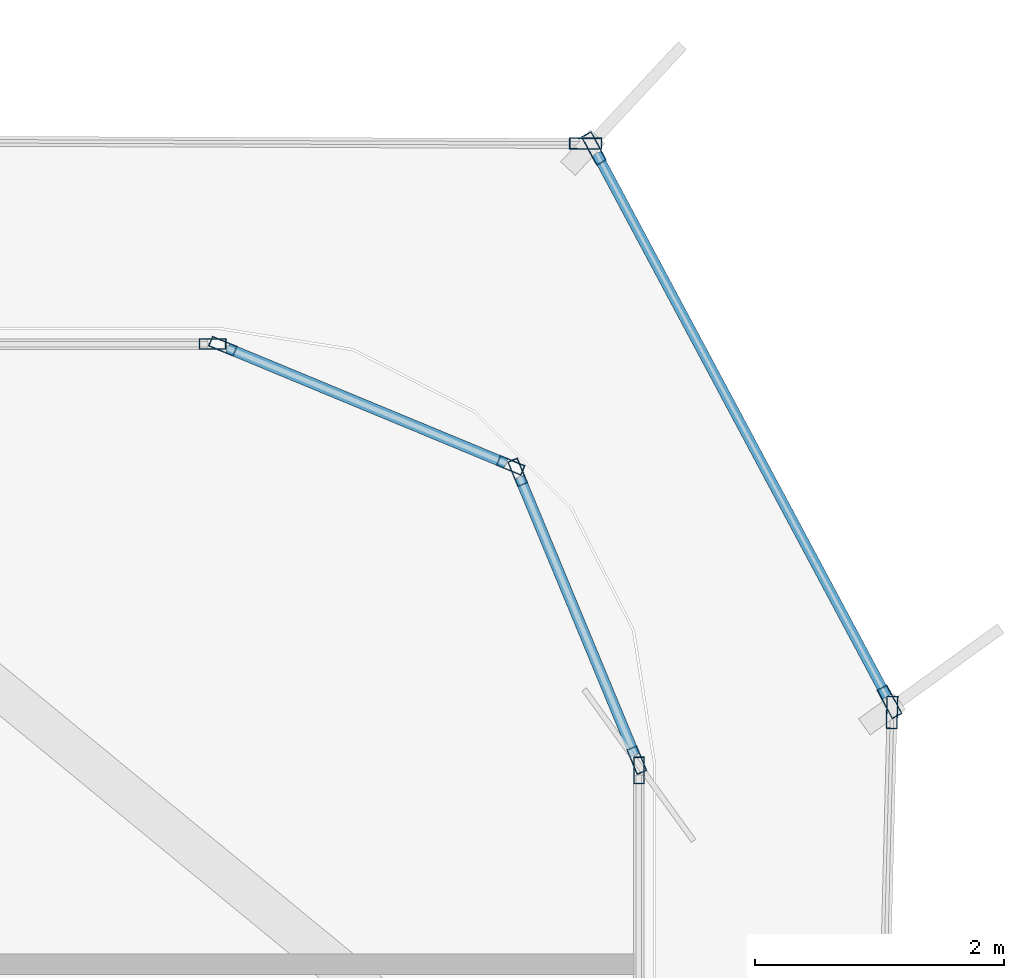
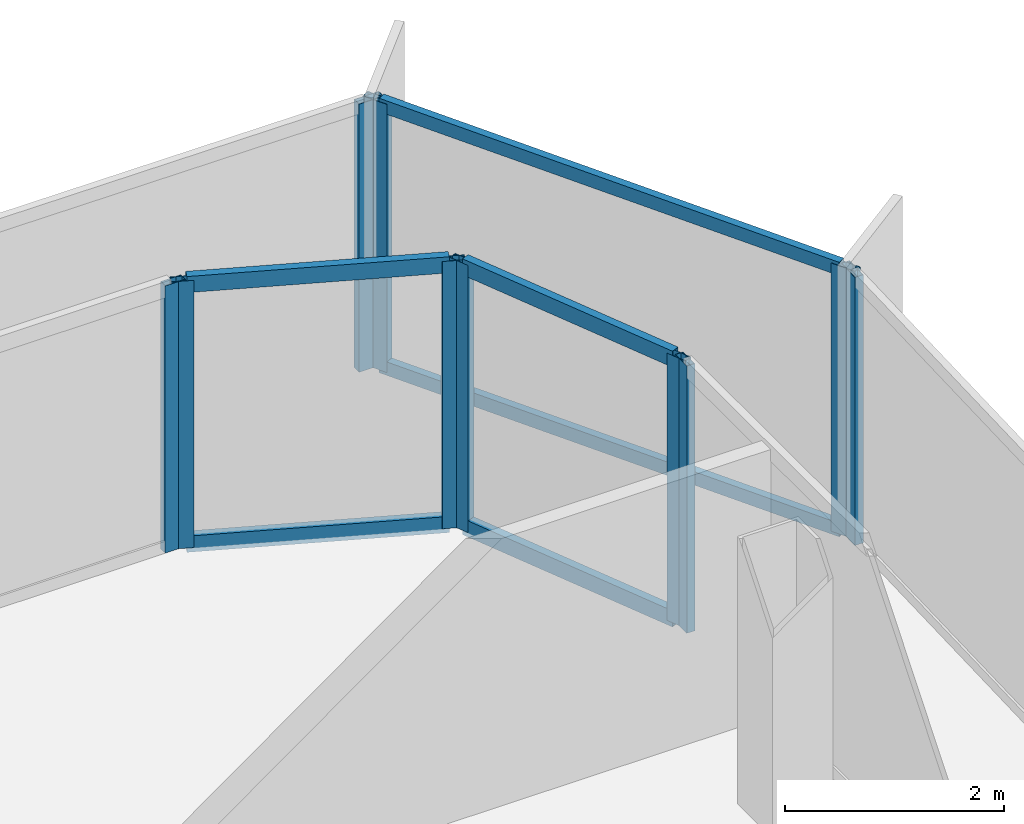
# One storey, part 8 of 15: 16 members, 7 elements without a shape of their own.
"""IFC4 building model written with IfcOpenShell, lengths in metres."""

from ifc_helpers import new_model, si_unit, direction, frame, origin, origin_2d, place, context, subcontext, project, spatial, hollow_rectangle, extrude, source, transform, mapped, material, layer, layer_set, material_profile, profile_set, type_object, element, aggregate, save


model = new_model("IFC4")

# Units and contexts
model_context = context("Model", 3, precision=1e-05, world=origin(), true_north=direction((0.0, 1.0)))
body_context = subcontext(model_context, "Body", "Model", "MODEL_VIEW")
ifc_project = project(units=[si_unit("LENGTHUNIT", "METRE"), si_unit("AREAUNIT", "SQUARE_METRE"), si_unit("VOLUMEUNIT", "CUBIC_METRE"), si_unit("PLANEANGLEUNIT", "RADIAN"), si_unit("MASSUNIT", "GRAM", prefix="KILO")], contexts=[model_context])

# Site, building, storey
site_placement = place(None, origin())
site = spatial("IfcSite", under=ifc_project, at=site_placement, CompositionType="ELEMENT")
building_placement = place(site_placement, origin())
building = spatial("IfcBuilding", under=site, at=building_placement, Name="Kolveth Station Tower", CompositionType="ELEMENT")
storey_placement = place(building_placement, frame((0.0, 0.0, 220.10009765625)))
storey = spatial("IfcBuildingStorey", under=building, at=storey_placement, Name="L62", CompositionType="ELEMENT", Elevation=220.10009765625)

# Curtain wall, member
ifc_material_1 = material(Name="Black anodized aluminium 6063-T6 and dark solar glass", Category="aluminium")
ifc_layer_1 = layer(ifc_material_1, 0.159912109375)
ifc_layer_set_1 = layer_set([ifc_layer_1], Name="Black anodized aluminium 6063-T6 and dark solar glass")
curtain_wall_type_1 = type_object("IfcCurtainWallType", Name="OUTER SKIN CW-OS", PredefinedType="NOTDEFINED", material=ifc_layer_set_1)
curtain_wall_1_placement = place(storey_placement, origin())
curtain_wall_1 = element("IfcCurtainWall", 1, at=curtain_wall_1_placement, inside=storey, type_object=curtain_wall_type_1, Name="L62 Outer Ventilated Skin Curtain Wall 2", PredefinedType="NOTDEFINED")
ifc_material_2 = material(Name="Black anodized aluminium 6063-T6", Category="aluminium")
ifc_material_profile_1 = material_profile(ifc_material_2, hollow_rectangle(XDim=0.090087890625, YDim=0.260009765625, WallThickness=0.0048828125, at=origin_2d()), Name="ALU-90x260x5")
ifc_profile_set_1 = profile_set([ifc_material_profile_1], Name="Black anodized aluminium 6063-T6")
member_type_1 = type_object("IfcMemberType", Name="FIN MULLION ML-OS", PredefinedType="MULLION", material=ifc_profile_set_1)
shared_shape_1 = source(origin(), body_context, "Body", "SweptSolid", [
    extrude(hollow_rectangle(XDim=0.090087890625, YDim=0.260009765625, WallThickness=0.0048828125, at=origin_2d()), origin(), (0.0, 0.0, 1.0), 2.989990234375),
])
member_1_placement = place(storey_placement, frame((43.712890625, 32.22265625, 0.0), z_axis=(0.0, 0.0, 1.0), x_axis=(-0.999687283982, 0.025006684012, 0.0)))
member_1 = element("IfcMember", 2, at=member_1_placement, type_object=member_type_1, Name="CW-OS mullion 2", PredefinedType="MULLION", context=body_context, shape_type="MappedRepresentation", body=[
    mapped(shared_shape_1, transform((0.0, 0.0, 0.0), x_axis=(1.0, 0.0, 0.0), y_axis=(0.0, 1.0, 0.0), z_axis=(0.0, 0.0, 1.0), scale=1.0)),
])
aggregate(curtain_wall_1, [member_1])

# Curtain wall, members
curtain_wall_2_placement = place(storey_placement, origin())
curtain_wall_2 = element("IfcCurtainWall", 3, at=curtain_wall_2_placement, inside=storey, type_object=curtain_wall_type_1, Name="L62 Outer Ventilated Skin Curtain Wall 3", PredefinedType="NOTDEFINED")
member_2_placement = place(storey_placement, frame((43.69287109375, 32.307373046875, 0.0), z_axis=(0.0, 0.0, 1.0), x_axis=(-0.882018589328, -0.471214609365, 0.0)))
member_2 = element("IfcMember", 4, at=member_2_placement, type_object=member_type_1, Name="CW-OS mullion 1", PredefinedType="MULLION", context=body_context, shape_type="MappedRepresentation", body=[
    mapped(shared_shape_1, transform((0.0, 0.0, 0.0), x_axis=(1.0, 0.0, 0.0), y_axis=(0.0, 1.0, 0.0), z_axis=(0.0, 0.0, 1.0), scale=1.0)),
])
member_3_placement = place(storey_placement, frame((41.31884765625, 36.751220703125, 0.0), z_axis=(0.0, 0.0, 1.0), x_axis=(-0.882018589328, -0.471214609365, 0.0)))
member_3 = element("IfcMember", 5, at=member_3_placement, type_object=member_type_1, Name="CW-OS mullion 2", PredefinedType="MULLION", context=body_context, shape_type="MappedRepresentation", body=[
    mapped(shared_shape_1, transform((0.0, 0.0, 0.0), x_axis=(1.0, 0.0, 0.0), y_axis=(0.0, 1.0, 0.0), z_axis=(0.0, 0.0, 1.0), scale=1.0)),
])

# Curtain wall, member
curtain_wall_3_placement = place(storey_placement, origin())
curtain_wall_3 = element("IfcCurtainWall", 6, at=curtain_wall_3_placement, inside=storey, type_object=curtain_wall_type_1, Name="L62 Outer Ventilated Skin Curtain Wall 4", PredefinedType="NOTDEFINED")
member_4_placement = place(storey_placement, frame((41.252685546875, 36.791015625, 0.0), z_axis=(0.0, 0.0, 1.0), x_axis=(-0.003664930135, -0.999993284121, 0.0)))
member_4 = element("IfcMember", 7, at=member_4_placement, type_object=member_type_1, Name="CW-OS mullion 1", PredefinedType="MULLION", context=body_context, shape_type="MappedRepresentation", body=[
    mapped(shared_shape_1, transform((0.0, 0.0, 0.0), x_axis=(1.0, 0.0, 0.0), y_axis=(0.0, 1.0, 0.0), z_axis=(0.0, 0.0, 1.0), scale=1.0)),
])
aggregate(curtain_wall_3, [member_4])

ifc_material_3 = material(Name="Aluminium 6063-T6 and triple low-E dark glass", Category="aluminium")
ifc_layer_2 = layer(ifc_material_3, 0.199951171875)
ifc_layer_set_2 = layer_set([ifc_layer_2], Name="Aluminium 6063-T6 and triple low-E dark glass")
curtain_wall_type_2 = type_object("IfcCurtainWallType", Name="CurtainWall_CW-Z3", PredefinedType="NOTDEFINED", material=ifc_layer_set_2)
curtain_wall_4_placement = place(storey_placement, origin())
curtain_wall_4 = element("IfcCurtainWall", 8, at=curtain_wall_4_placement, inside=storey, type_object=curtain_wall_type_2, Name="L62 Inner Thermal Curtain Wall 3", PredefinedType="NOTDEFINED")
ifc_material_profile_2 = material_profile(ifc_material_2, hollow_rectangle(XDim=0.0849609375, YDim=0.215087890625, WallThickness=0.0048828125, at=origin_2d()), Name="ALU-85x215x5")
ifc_profile_set_2 = profile_set([ifc_material_profile_2], Name="Black anodized aluminium 6063-T6")
member_type_2 = type_object("IfcMemberType", Name="Mullion_ML3", PredefinedType="MULLION", material=ifc_profile_set_2)
shared_shape_2 = source(origin(), body_context, "Body", "SweptSolid", [
    extrude(hollow_rectangle(XDim=0.0849609375, YDim=0.215087890625, WallThickness=0.0048828125, at=origin_2d()), origin(), (0.0, 0.0, 1.0), 2.97998046875),
])
member_5_placement = place(storey_placement, frame((41.679931640625, 31.757568359375, 0.0), z_axis=(0.0, 0.0, 1.0), x_axis=(-1.0, 0.0, 0.0)))
member_5 = element("IfcMember", 9, at=member_5_placement, type_object=member_type_2, Name="CW-Z3 mullion 2", PredefinedType="MULLION", context=body_context, shape_type="MappedRepresentation", body=[
    mapped(shared_shape_2, transform((0.0, 0.0, 0.0), x_axis=(1.0, 0.0, 0.0), y_axis=(0.0, 1.0, 0.0), z_axis=(0.0, 0.0, 1.0), scale=1.0)),
])
aggregate(curtain_wall_4, [member_5])

# Curtain wall, members
curtain_wall_5_placement = place(storey_placement, origin())
curtain_wall_5 = element("IfcCurtainWall", 10, at=curtain_wall_5_placement, inside=storey, type_object=curtain_wall_type_2, Name="L62 Inner Thermal Curtain Wall 4", PredefinedType="NOTDEFINED")
member_6_placement = place(storey_placement, frame((41.663818359375, 31.83935546875, 0.0), z_axis=(0.0, 0.0, 1.0), x_axis=(-0.923875488975, -0.382693194181, 0.0)))
member_6 = element("IfcMember", 11, at=member_6_placement, type_object=member_type_2, Name="CW-Z3 mullion 1", PredefinedType="MULLION", context=body_context, shape_type="MappedRepresentation", body=[
    mapped(shared_shape_2, transform((0.0, 0.0, 0.0), x_axis=(1.0, 0.0, 0.0), y_axis=(0.0, 1.0, 0.0), z_axis=(0.0, 0.0, 1.0), scale=1.0)),
])
member_7_placement = place(storey_placement, frame((40.706298828125, 34.150634765625, 0.0), z_axis=(0.0, 0.0, 1.0), x_axis=(-0.923875488975, -0.382693194181, 0.0)))
member_7 = element("IfcMember", 12, at=member_7_placement, type_object=member_type_2, Name="CW-Z3 mullion 2", PredefinedType="MULLION", context=body_context, shape_type="MappedRepresentation", body=[
    mapped(shared_shape_2, transform((0.0, 0.0, 0.0), x_axis=(1.0, 0.0, 0.0), y_axis=(0.0, 1.0, 0.0), z_axis=(0.0, 0.0, 1.0), scale=1.0)),
])

curtain_wall_6_placement = place(storey_placement, origin())
curtain_wall_6 = element("IfcCurtainWall", 13, at=curtain_wall_6_placement, inside=storey, type_object=curtain_wall_type_2, Name="L62 Inner Thermal Curtain Wall 5", PredefinedType="NOTDEFINED")
member_8_placement = place(storey_placement, frame((40.650634765625, 34.206298828125, 0.0), z_axis=(0.0, 0.0, 1.0), x_axis=(-0.382693194181, -0.923875488975, 0.0)))
member_8 = element("IfcMember", 14, at=member_8_placement, type_object=member_type_2, Name="CW-Z3 mullion 1", PredefinedType="MULLION", context=body_context, shape_type="MappedRepresentation", body=[
    mapped(shared_shape_2, transform((0.0, 0.0, 0.0), x_axis=(1.0, 0.0, 0.0), y_axis=(0.0, 1.0, 0.0), z_axis=(0.0, 0.0, 1.0), scale=1.0)),
])
member_9_placement = place(storey_placement, frame((38.33935546875, 35.163818359375, 0.0), z_axis=(0.0, 0.0, 1.0), x_axis=(-0.382693194181, -0.923875488975, 0.0)))
member_9 = element("IfcMember", 15, at=member_9_placement, type_object=member_type_2, Name="CW-Z3 mullion 2", PredefinedType="MULLION", context=body_context, shape_type="MappedRepresentation", body=[
    mapped(shared_shape_2, transform((0.0, 0.0, 0.0), x_axis=(1.0, 0.0, 0.0), y_axis=(0.0, 1.0, 0.0), z_axis=(0.0, 0.0, 1.0), scale=1.0)),
])

# Curtain wall, member
curtain_wall_7_placement = place(storey_placement, origin())
curtain_wall_7 = element("IfcCurtainWall", 16, at=curtain_wall_7_placement, inside=storey, type_object=curtain_wall_type_2, Name="L62 Inner Thermal Curtain Wall 6", PredefinedType="NOTDEFINED")
member_10_placement = place(storey_placement, frame((38.257568359375, 35.179931640625, 0.0), z_axis=(0.0, 0.0, 1.0), x_axis=(0.0, -1.0, 0.0)))
member_10 = element("IfcMember", 17, at=member_10_placement, type_object=member_type_2, Name="CW-Z3 mullion 1", PredefinedType="MULLION", context=body_context, shape_type="MappedRepresentation", body=[
    mapped(shared_shape_2, transform((0.0, 0.0, 0.0), x_axis=(1.0, 0.0, 0.0), y_axis=(0.0, 1.0, 0.0), z_axis=(0.0, 0.0, 1.0), scale=1.0)),
])
aggregate(curtain_wall_7, [member_10])

# Member
ifc_material_profile_3 = material_profile(ifc_material_2, hollow_rectangle(XDim=0.0849609375, YDim=0.179931640625, WallThickness=0.0048828125, at=origin_2d()), Name="ALU-85x180x5")
ifc_profile_set_3 = profile_set([ifc_material_profile_3], Name="Black anodized aluminium 6063-T6")
member_type_3 = type_object("IfcMemberType", Name="Transom_TR3", PredefinedType="USERDEFINED", material=ifc_profile_set_3)
shared_shape_3 = source(origin(), body_context, "Body", "SweptSolid", [
    extrude(hollow_rectangle(XDim=0.0849609375, YDim=0.179931640625, WallThickness=0.0048828125, at=origin_2d()), origin(), (0.0, 0.0, 1.0), 2.417236328125),
])
member_11_placement = place(storey_placement, frame((41.6474609375, 31.87841796875, 0.04248046875), z_axis=(-0.382699687013, 0.923872799448, 0.0), x_axis=(-0.923872799448, -0.382699687013, 0.0)))
member_11 = element("IfcMember", 18, at=member_11_placement, type_object=member_type_3, Name="CW-Z3 transom 1.1", ObjectType="TRANSOM", PredefinedType="USERDEFINED", context=body_context, shape_type="MappedRepresentation", body=[
    mapped(shared_shape_3, transform((0.0, 0.0, 0.0), x_axis=(1.0, 0.0, 0.0), y_axis=(0.0, 1.0, 0.0), z_axis=(0.0, 0.0, 1.0), scale=1.0)),
])

member_12_placement = place(storey_placement, frame((41.6474609375, 31.87841796875, 2.9375), z_axis=(-0.382699687013, 0.923872799448, 0.0), x_axis=(-0.923872799448, -0.382699687013, 0.0)))
member_12 = element("IfcMember", 19, at=member_12_placement, type_object=member_type_3, Name="CW-Z3 transom 1.2", ObjectType="TRANSOM", PredefinedType="USERDEFINED", context=body_context, shape_type="MappedRepresentation", body=[
    mapped(shared_shape_3, transform((0.0, 0.0, 0.0), x_axis=(1.0, 0.0, 0.0), y_axis=(0.0, 1.0, 0.0), z_axis=(0.0, 0.0, 1.0), scale=1.0)),
])

aggregate(curtain_wall_5, [member_6, member_7, member_11, member_12])

member_13_placement = place(storey_placement, frame((40.611572265625, 34.222412109375, 0.04248046875), z_axis=(-0.923872799448, 0.382699687013, 0.0), x_axis=(-0.382699687013, -0.923872799448, 0.0)))
member_13 = element("IfcMember", 20, at=member_13_placement, type_object=member_type_3, Name="CW-Z3 transom 1.1", ObjectType="TRANSOM", PredefinedType="USERDEFINED", context=body_context, shape_type="MappedRepresentation", body=[
    mapped(shared_shape_3, transform((0.0, 0.0, 0.0), x_axis=(1.0, 0.0, 0.0), y_axis=(0.0, 1.0, 0.0), z_axis=(0.0, 0.0, 1.0), scale=1.0)),
])

member_14_placement = place(storey_placement, frame((40.611572265625, 34.222412109375, 2.9375), z_axis=(-0.923872799448, 0.382699687013, 0.0), x_axis=(-0.382699687013, -0.923872799448, 0.0)))
member_14 = element("IfcMember", 21, at=member_14_placement, type_object=member_type_3, Name="CW-Z3 transom 1.2", ObjectType="TRANSOM", PredefinedType="USERDEFINED", context=body_context, shape_type="MappedRepresentation", body=[
    mapped(shared_shape_3, transform((0.0, 0.0, 0.0), x_axis=(1.0, 0.0, 0.0), y_axis=(0.0, 1.0, 0.0), z_axis=(0.0, 0.0, 1.0), scale=1.0)),
])

aggregate(curtain_wall_6, [member_8, member_9, member_13, member_14])

ifc_material_profile_4 = material_profile(ifc_material_2, hollow_rectangle(XDim=0.080078125, YDim=0.14990234375, WallThickness=0.0048828125, at=origin_2d()), Name="ALU-80x150x5")
ifc_profile_set_4 = profile_set([ifc_material_profile_4], Name="Black anodized aluminium 6063-T6")
member_type_4 = type_object("IfcMemberType", Name="Transom_TR-OS", PredefinedType="USERDEFINED", material=ifc_profile_set_4)
shared_shape_4 = source(origin(), body_context, "Body", "SweptSolid", [
    extrude(hollow_rectangle(XDim=0.080078125, YDim=0.14990234375, WallThickness=0.0048828125, at=origin_2d()), origin(), (0.0, 0.0, 1.0), 4.947998046875),
])
member_15_placement = place(storey_placement, frame((43.671630859375, 32.34716796875, 0.039794921875), z_axis=(-0.471207871227, 0.882022189116, 0.0), x_axis=(-0.882022189116, -0.471207871227, 0.0)))
member_15 = element("IfcMember", 22, at=member_15_placement, type_object=member_type_4, Name="CW-OS transom 1.1", ObjectType="TRANSOM", PredefinedType="USERDEFINED", context=body_context, shape_type="MappedRepresentation", body=[
    mapped(shared_shape_4, transform((0.0, 0.0, 0.0), x_axis=(1.0, 0.0, 0.0), y_axis=(0.0, 1.0, 0.0), z_axis=(0.0, 0.0, 1.0), scale=1.0)),
])

member_16_placement = place(storey_placement, frame((43.671630859375, 32.34716796875, 2.949951171875), z_axis=(-0.471207871227, 0.882022189116, 0.0), x_axis=(-0.882022189116, -0.471207871227, 0.0)))
member_16 = element("IfcMember", 23, at=member_16_placement, type_object=member_type_4, Name="CW-OS transom 1.2", ObjectType="TRANSOM", PredefinedType="USERDEFINED", context=body_context, shape_type="MappedRepresentation", body=[
    mapped(shared_shape_4, transform((0.0, 0.0, 0.0), x_axis=(1.0, 0.0, 0.0), y_axis=(0.0, 1.0, 0.0), z_axis=(0.0, 0.0, 1.0), scale=1.0)),
])

aggregate(curtain_wall_2, [member_2, member_3, member_15, member_16])

save(model, "model.ifc")
